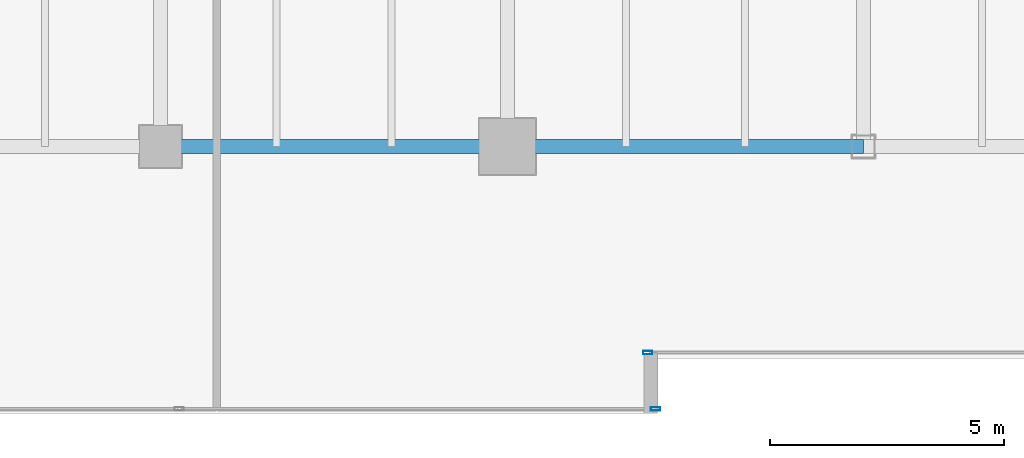
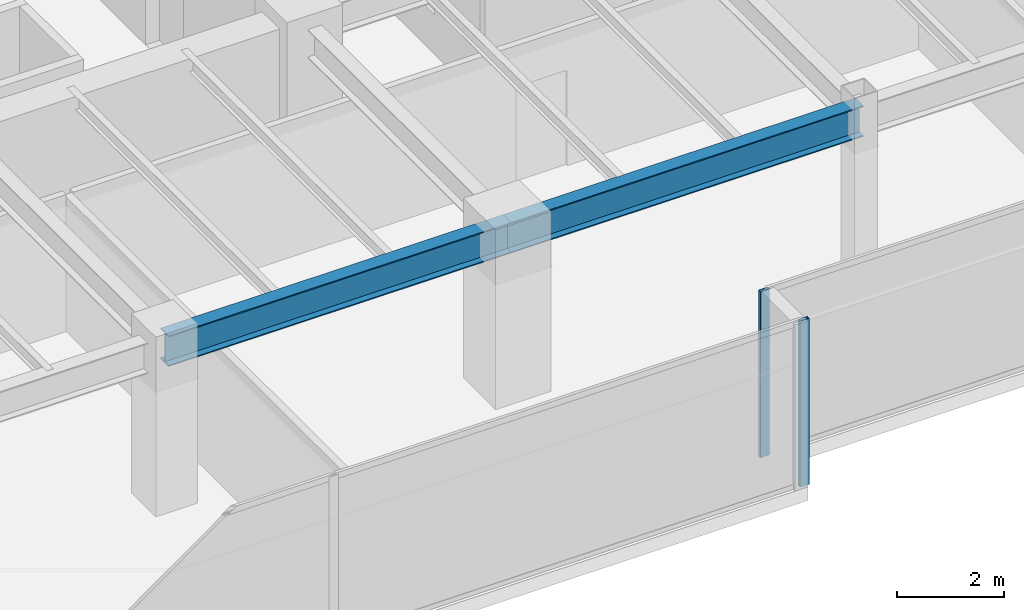
# One storey, part 4 of 33: 2 beams, 2 members, 2 elements without a shape of their own.
"""IFC4 building model written with IfcOpenShell, lengths in metres."""

from ifc_helpers import new_model, si_unit, direction, frame, origin, origin_2d, place, context, subcontext, project, spatial, hollow_rectangle, i_section, extrude, source, transform, mapped, material, layer, layer_set, material_profile, profile_set, type_object, type_shapes, element, aggregate, save


model = new_model("IFC4")

# Units and contexts
model_context = context("Model", 3, precision=1e-05, world=origin(), true_north=direction((0.0, 1.0)))
body_context = subcontext(model_context, "Body", "Model", "MODEL_VIEW")
ifc_project = project(units=[si_unit("LENGTHUNIT", "METRE"), si_unit("AREAUNIT", "SQUARE_METRE"), si_unit("VOLUMEUNIT", "CUBIC_METRE"), si_unit("PLANEANGLEUNIT", "RADIAN"), si_unit("MASSUNIT", "GRAM", prefix="KILO")], contexts=[model_context])

# Site, building, storey
site_placement = place(None, origin())
site = spatial("IfcSite", under=ifc_project, at=site_placement, CompositionType="ELEMENT")
building_placement = place(site_placement, origin())
building = spatial("IfcBuilding", under=site, at=building_placement, Name="Haelvirn Gate Laboratories", CompositionType="ELEMENT")
storey_placement = place(building_placement, frame((0.0, 0.0, 117.39990234375)))
storey = spatial("IfcBuildingStorey", under=building, at=storey_placement, Name="L28", CompositionType="ELEMENT", Elevation=117.39990234375)

# Beams
ifc_material_1 = material(Name="Steel SM355", Category="steel")
ifc_material_profile_1 = material_profile(ifc_material_1, i_section(OverallWidth=0.300048828125, OverallDepth=0.699951171875, WebThickness=0.012939453125, FlangeThickness=0.02392578125, at=origin_2d()), Name="H-700x300x13x24")
ifc_profile_set_1 = profile_set([ifc_material_profile_1], Name="Steel SM355")
beam_type = type_object("IfcBeamType", Name="BM-G-700", PredefinedType="BEAM", material=ifc_profile_set_1)
shared_shape_1 = source(origin(), body_context, "Body", "SweptSolid", [
    extrude(i_section(OverallWidth=0.300048828125, OverallDepth=0.699951171875, WebThickness=0.012939453125, FlangeThickness=0.02392578125, at=origin_2d()), origin(), (0.0, 0.0, 1.0), 7.39990234375),
])
beam_1_placement = place(storey_placement, frame((14.800048828125, 7.0, 3.440185546875), z_axis=(1.0, 0.0, 0.0), x_axis=(0.0, 1.0, 0.0)))
element("IfcBeam", 1, at=beam_1_placement, inside=storey, type_object=beam_type, Name="L28 Primary Girder Y7.0 (14.8-22.2)", PredefinedType="BEAM", context=body_context, shape_type="MappedRepresentation", body=[
    mapped(shared_shape_1, transform((0.0, 0.0, 0.0), scale=1.0)),
])
shared_shape_2 = source(origin(), body_context, "Body", "SweptSolid", [
    extrude(i_section(OverallWidth=0.300048828125, OverallDepth=0.699951171875, WebThickness=0.012939453125, FlangeThickness=0.02392578125, at=origin_2d()), origin(), (0.0, 0.0, 1.0), 7.60009765625),
])
type_shapes(beam_type, [shared_shape_1, shared_shape_2])
beam_2_placement = place(storey_placement, frame((22.199951171875, 7.0, 3.440185546875), z_axis=(1.0, 0.0, 0.0), x_axis=(0.0, 1.0, 0.0)))
element("IfcBeam", 2, at=beam_2_placement, inside=storey, type_object=beam_type, Name="L28 Primary Girder Y7.0 (22.2-29.8)", PredefinedType="BEAM", context=body_context, shape_type="MappedRepresentation", body=[
    mapped(shared_shape_2, transform((0.0, 0.0, 0.0), scale=1.0)),
])

# Curtain wall, member
ifc_material_2 = material(Name="Anodised bronze unitised aluminium & triple low-E glass", Category="aluminium")
ifc_layer = layer(ifc_material_2, 0.179931640625, Name="CW-SYS-3")
ifc_layer_set = layer_set([ifc_layer], Name="Anodised bronze unitised aluminium & triple low-E glass")
curtain_wall_type = type_object("IfcCurtainWallType", Name="CW-SYS-3", PredefinedType="NOTDEFINED", material=ifc_layer_set)
curtain_wall_1_placement = place(storey_placement, origin())
curtain_wall_1 = element("IfcCurtainWall", 3, at=curtain_wall_1_placement, inside=storey, type_object=curtain_wall_type, Name="L28 Unitised Curtain Wall CW-L28-P0-E00-1", PredefinedType="NOTDEFINED")
ifc_material_3 = material(Name="Extruded aluminium 6063-T6 (anodised bronze)", Category="aluminium")
ifc_material_profile_2 = material_profile(ifc_material_3, hollow_rectangle(XDim=0.074951171875, YDim=0.199951171875, WallThickness=0.0048828125, at=origin_2d()), Name="CWM-200x75x5")
ifc_profile_set_2 = profile_set([ifc_material_profile_2], Name="Extruded aluminium 6063-T6 (anodised bronze)")
member_type = type_object("IfcMemberType", Name="CWM-T200", PredefinedType="MULLION", material=ifc_profile_set_2)
shared_shape_3 = source(origin(), body_context, "Body", "SweptSolid", [
    extrude(hollow_rectangle(XDim=0.074951171875, YDim=0.199951171875, WallThickness=0.0048828125, at=origin_2d()), origin(), (0.0, 0.0, 1.0), 3.7900390625),
])
type_shapes(member_type, [shared_shape_3])
member_1_placement = place(storey_placement, frame((25.362548828125, 1.39990234375, 0.0), z_axis=(0.0, 0.0, 1.0), x_axis=(0.0, 1.0, 0.0)))
member_1 = element("IfcMember", 4, at=member_1_placement, type_object=member_type, Name="CW3 mullion 3", PredefinedType="MULLION", context=body_context, shape_type="MappedRepresentation", body=[
    mapped(shared_shape_3, transform((0.0, 0.0, 0.0), scale=1.0)),
])
aggregate(curtain_wall_1, [member_1])

curtain_wall_2_placement = place(storey_placement, origin())
curtain_wall_2 = element("IfcCurtainWall", 5, at=curtain_wall_2_placement, inside=storey, type_object=curtain_wall_type, Name="L28 Unitised Curtain Wall CW-L28-P0-E02-1", PredefinedType="NOTDEFINED")
member_2_placement = place(storey_placement, frame((25.197509765625, 2.60009765625, 0.0), z_axis=(0.0, 0.0, 1.0), x_axis=(0.0, 1.0, 0.0)))
member_2 = element("IfcMember", 6, at=member_2_placement, type_object=member_type, Name="CW3 mullion 1", PredefinedType="MULLION", context=body_context, shape_type="MappedRepresentation", body=[
    mapped(shared_shape_3, transform((0.0, 0.0, 0.0), scale=1.0)),
])
aggregate(curtain_wall_2, [member_2])

save(model, "model.ifc")
